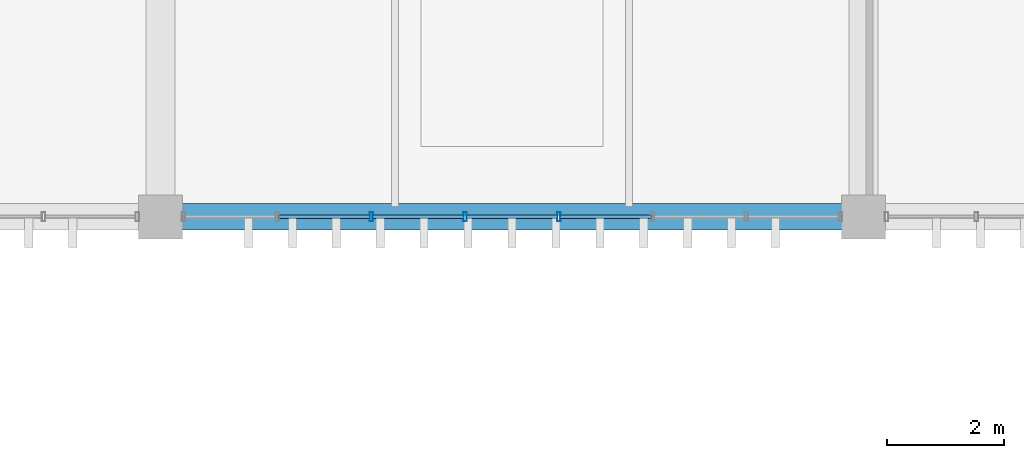
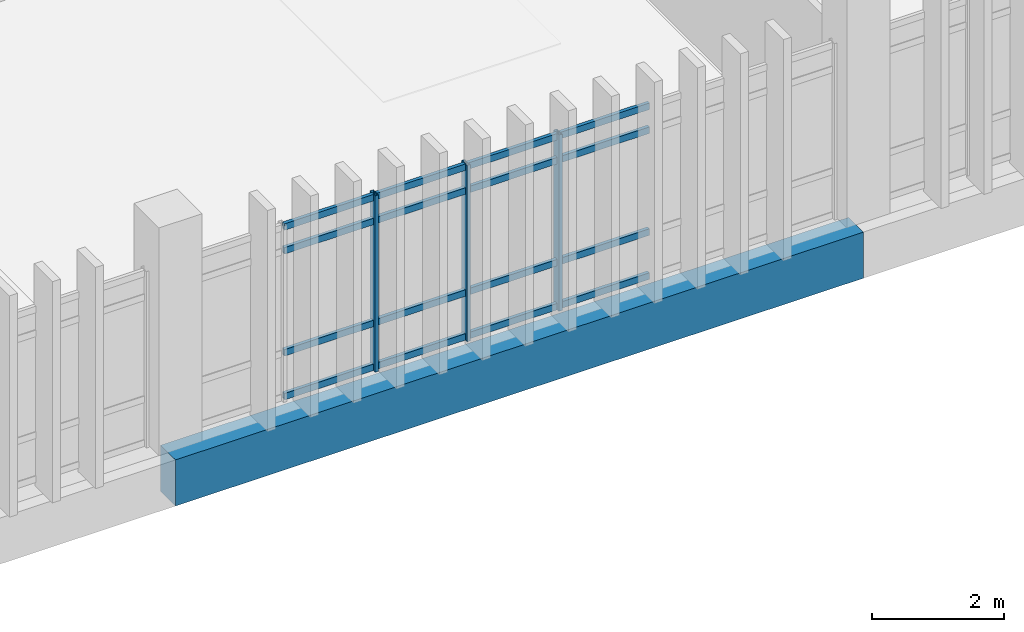
# One storey, part 36 of 111: 19 members, 1 beam, 1 element without a shape of its own.
"""IFC4 building model written with IfcOpenShell, lengths in metres."""

from ifc_helpers import new_model, si_unit, direction, frame, origin, origin_2d, place, context, subcontext, project, spatial, rectangle, hollow_rectangle, extrude, material, layer, layer_set, material_profile, profile_set, type_object, element, aggregate, save


model = new_model("IFC4")

# Units and contexts
model_context = context("Model", 3, precision=1e-05, world=origin(), true_north=direction((0.0, 1.0)))
body_context = subcontext(model_context, "Body", "Model", "MODEL_VIEW")
ifc_project = project(units=[si_unit("LENGTHUNIT", "METRE"), si_unit("AREAUNIT", "SQUARE_METRE"), si_unit("VOLUMEUNIT", "CUBIC_METRE"), si_unit("PLANEANGLEUNIT", "RADIAN"), si_unit("MASSUNIT", "GRAM", prefix="KILO")], contexts=[model_context])

# Site, building, storey
site_placement = place(None, origin())
site = spatial("IfcSite", under=ifc_project, at=site_placement, CompositionType="ELEMENT")
building_placement = place(site_placement, origin())
building = spatial("IfcBuilding", under=site, at=building_placement, Name="Mersad Railyard Sports Hall", CompositionType="ELEMENT")
storey_placement = place(building_placement, frame((0.0, 0.0, 9.0)))
storey = spatial("IfcBuildingStorey", under=building, at=storey_placement, Name="L02", CompositionType="ELEMENT", Elevation=9.0)

# Curtain wall, members
ifc_material_1 = material(Name="Aluminium 6063-T6", Category="aluminium")
ifc_layer = layer(ifc_material_1, 0.159912109375)
ifc_layer_set = layer_set([ifc_layer], Name="Aluminium 6063-T6")
curtain_wall_type = type_object("IfcCurtainWallType", Name="ARC-CW-CW54", PredefinedType="USERDEFINED", material=ifc_layer_set)
curtain_wall_placement = place(storey_placement, origin())
curtain_wall = element("IfcCurtainWall", 1, at=curtain_wall_placement, inside=storey, type_object=curtain_wall_type, Name="Curtain wall CW54-0146", ObjectType="CURTAIN WALL", PredefinedType="USERDEFINED")
ifc_material_profile_1 = material_profile(ifc_material_1, hollow_rectangle(XDim=0.06005859375, YDim=0.159912109375, WallThickness=0.00390625, at=origin_2d()), Name="AL MULLION 60x160x4")
ifc_profile_set_1 = profile_set([ifc_material_profile_1], Name="Aluminium 6063-T6")
member_type_1 = type_object("IfcMemberType", Name="ARC-CW-MUL01", PredefinedType="MULLION", material=ifc_profile_set_1)
member_1_placement = place(storey_placement, frame((85.80078125, 85.0, -0.02001953125), z_axis=(0.0, 0.0, 1.0), x_axis=(1.0, 0.0, 0.0)))
member_1 = element("IfcMember", 2, at=member_1_placement, type_object=member_type_1, Name="CW54 Mullion 4", PredefinedType="MULLION", context=body_context, shape_type="SweptSolid", body=[
    extrude(hollow_rectangle(XDim=0.06005859375, YDim=0.159912109375, WallThickness=0.00390625, at=origin_2d()), origin(), (0.0, 0.0, 1.0), 3.25),
])
member_2_placement = place(storey_placement, frame((84.19921875, 85.0, -0.02001953125), z_axis=(0.0, 0.0, 1.0), x_axis=(1.0, 0.0, 0.0)))
member_2 = element("IfcMember", 3, at=member_2_placement, type_object=member_type_1, Name="CW54 Mullion 5", PredefinedType="MULLION", context=body_context, shape_type="SweptSolid", body=[
    extrude(hollow_rectangle(XDim=0.06005859375, YDim=0.159912109375, WallThickness=0.00390625, at=origin_2d()), origin(), (0.0, 0.0, 1.0), 3.25),
])
member_3_placement = place(storey_placement, frame((82.597900390625, 85.0, -0.02001953125), z_axis=(0.0, 0.0, 1.0), x_axis=(1.0, 0.0, 0.0)))
member_3 = element("IfcMember", 4, at=member_3_placement, type_object=member_type_1, Name="CW54 Mullion 6", PredefinedType="MULLION", context=body_context, shape_type="SweptSolid", body=[
    extrude(hollow_rectangle(XDim=0.06005859375, YDim=0.159912109375, WallThickness=0.00390625, at=origin_2d()), origin(), (0.0, 0.0, 1.0), 3.25),
])
ifc_material_profile_2 = material_profile(ifc_material_1, hollow_rectangle(XDim=0.06005859375, YDim=0.1201171875, WallThickness=0.00390625, at=origin_2d()), Name="AL TRANSOM 60x120x4")
ifc_profile_set_2 = profile_set([ifc_material_profile_2], Name="Aluminium 6063-T6")
member_type_2 = type_object("IfcMemberType", Name="ARC-CW-TRN01", PredefinedType="USERDEFINED", material=ifc_profile_set_2)
member_4_placement = place(storey_placement, frame((87.382080078125, 85.0, 0.0400390625), z_axis=(-1.0, 0.0, 0.0), x_axis=(0.0, -1.0, 0.0)))
member_4 = element("IfcMember", 5, at=member_4_placement, type_object=member_type_2, Name="CW54 Transom 1-3", ObjectType="TRANSOM", PredefinedType="USERDEFINED", context=body_context, shape_type="SweptSolid", body=[
    extrude(hollow_rectangle(XDim=0.06005859375, YDim=0.1201171875, WallThickness=0.00390625, at=origin_2d()), origin(), (0.0, 0.0, 1.0), 1.561279296875),
])
member_5_placement = place(storey_placement, frame((85.78076171875, 85.0, 0.0400390625), z_axis=(-1.0, 0.0, 0.0), x_axis=(0.0, -1.0, 0.0)))
member_5 = element("IfcMember", 6, at=member_5_placement, type_object=member_type_2, Name="CW54 Transom 1-4", ObjectType="TRANSOM", PredefinedType="USERDEFINED", context=body_context, shape_type="SweptSolid", body=[
    extrude(hollow_rectangle(XDim=0.06005859375, YDim=0.1201171875, WallThickness=0.00390625, at=origin_2d()), origin(), (0.0, 0.0, 1.0), 1.5615234375),
])
member_6_placement = place(storey_placement, frame((84.17919921875, 85.0, 0.0400390625), z_axis=(-1.0, 0.0, 0.0), x_axis=(0.0, -1.0, 0.0)))
member_6 = element("IfcMember", 7, at=member_6_placement, type_object=member_type_2, Name="CW54 Transom 1-5", ObjectType="TRANSOM", PredefinedType="USERDEFINED", context=body_context, shape_type="SweptSolid", body=[
    extrude(hollow_rectangle(XDim=0.06005859375, YDim=0.1201171875, WallThickness=0.00390625, at=origin_2d()), origin(), (0.0, 0.0, 1.0), 1.561279296875),
])
member_7_placement = place(storey_placement, frame((82.577880859375, 85.0, 0.0400390625), z_axis=(-1.0, 0.0, 0.0), x_axis=(0.0, -1.0, 0.0)))
member_7 = element("IfcMember", 8, at=member_7_placement, type_object=member_type_2, Name="CW54 Transom 1-6", ObjectType="TRANSOM", PredefinedType="USERDEFINED", context=body_context, shape_type="SweptSolid", body=[
    extrude(hollow_rectangle(XDim=0.06005859375, YDim=0.1201171875, WallThickness=0.00390625, at=origin_2d()), origin(), (0.0, 0.0, 1.0), 1.5615234375),
])
member_8_placement = place(storey_placement, frame((87.382080078125, 85.0, 0.85009765625), z_axis=(-1.0, 0.0, 0.0), x_axis=(0.0, -1.0, 0.0)))
member_8 = element("IfcMember", 9, at=member_8_placement, type_object=member_type_2, Name="CW54 Transom 2-3", ObjectType="TRANSOM", PredefinedType="USERDEFINED", context=body_context, shape_type="SweptSolid", body=[
    extrude(hollow_rectangle(XDim=0.06005859375, YDim=0.1201171875, WallThickness=0.00390625, at=origin_2d()), origin(), (0.0, 0.0, 1.0), 1.561279296875),
])
member_9_placement = place(storey_placement, frame((85.78076171875, 85.0, 0.85009765625), z_axis=(-1.0, 0.0, 0.0), x_axis=(0.0, -1.0, 0.0)))
member_9 = element("IfcMember", 10, at=member_9_placement, type_object=member_type_2, Name="CW54 Transom 2-4", ObjectType="TRANSOM", PredefinedType="USERDEFINED", context=body_context, shape_type="SweptSolid", body=[
    extrude(hollow_rectangle(XDim=0.06005859375, YDim=0.1201171875, WallThickness=0.00390625, at=origin_2d()), origin(), (0.0, 0.0, 1.0), 1.5615234375),
])
member_10_placement = place(storey_placement, frame((84.17919921875, 85.0, 0.85009765625), z_axis=(-1.0, 0.0, 0.0), x_axis=(0.0, -1.0, 0.0)))
member_10 = element("IfcMember", 11, at=member_10_placement, type_object=member_type_2, Name="CW54 Transom 2-5", ObjectType="TRANSOM", PredefinedType="USERDEFINED", context=body_context, shape_type="SweptSolid", body=[
    extrude(hollow_rectangle(XDim=0.06005859375, YDim=0.1201171875, WallThickness=0.00390625, at=origin_2d()), origin(), (0.0, 0.0, 1.0), 1.561279296875),
])
member_11_placement = place(storey_placement, frame((82.577880859375, 85.0, 0.85009765625), z_axis=(-1.0, 0.0, 0.0), x_axis=(0.0, -1.0, 0.0)))
member_11 = element("IfcMember", 12, at=member_11_placement, type_object=member_type_2, Name="CW54 Transom 2-6", ObjectType="TRANSOM", PredefinedType="USERDEFINED", context=body_context, shape_type="SweptSolid", body=[
    extrude(hollow_rectangle(XDim=0.06005859375, YDim=0.1201171875, WallThickness=0.00390625, at=origin_2d()), origin(), (0.0, 0.0, 1.0), 1.5615234375),
])
member_12_placement = place(storey_placement, frame((87.382080078125, 85.0, 2.72998046875), z_axis=(-1.0, 0.0, 0.0), x_axis=(0.0, -1.0, 0.0)))
member_12 = element("IfcMember", 13, at=member_12_placement, type_object=member_type_2, Name="CW54 Transom 3-3", ObjectType="TRANSOM", PredefinedType="USERDEFINED", context=body_context, shape_type="SweptSolid", body=[
    extrude(hollow_rectangle(XDim=0.06005859375, YDim=0.1201171875, WallThickness=0.00390625, at=origin_2d()), origin(), (0.0, 0.0, 1.0), 1.561279296875),
])
member_13_placement = place(storey_placement, frame((85.78076171875, 85.0, 2.72998046875), z_axis=(-1.0, 0.0, 0.0), x_axis=(0.0, -1.0, 0.0)))
member_13 = element("IfcMember", 14, at=member_13_placement, type_object=member_type_2, Name="CW54 Transom 3-4", ObjectType="TRANSOM", PredefinedType="USERDEFINED", context=body_context, shape_type="SweptSolid", body=[
    extrude(hollow_rectangle(XDim=0.06005859375, YDim=0.1201171875, WallThickness=0.00390625, at=origin_2d()), origin(), (0.0, 0.0, 1.0), 1.5615234375),
])
member_14_placement = place(storey_placement, frame((84.17919921875, 85.0, 2.72998046875), z_axis=(-1.0, 0.0, 0.0), x_axis=(0.0, -1.0, 0.0)))
member_14 = element("IfcMember", 15, at=member_14_placement, type_object=member_type_2, Name="CW54 Transom 3-5", ObjectType="TRANSOM", PredefinedType="USERDEFINED", context=body_context, shape_type="SweptSolid", body=[
    extrude(hollow_rectangle(XDim=0.06005859375, YDim=0.1201171875, WallThickness=0.00390625, at=origin_2d()), origin(), (0.0, 0.0, 1.0), 1.561279296875),
])
member_15_placement = place(storey_placement, frame((82.577880859375, 85.0, 2.72998046875), z_axis=(-1.0, 0.0, 0.0), x_axis=(0.0, -1.0, 0.0)))
member_15 = element("IfcMember", 16, at=member_15_placement, type_object=member_type_2, Name="CW54 Transom 3-6", ObjectType="TRANSOM", PredefinedType="USERDEFINED", context=body_context, shape_type="SweptSolid", body=[
    extrude(hollow_rectangle(XDim=0.06005859375, YDim=0.1201171875, WallThickness=0.00390625, at=origin_2d()), origin(), (0.0, 0.0, 1.0), 1.5615234375),
])
member_16_placement = place(storey_placement, frame((87.382080078125, 85.0, 3.169921875), z_axis=(-1.0, 0.0, 0.0), x_axis=(0.0, -1.0, 0.0)))
member_16 = element("IfcMember", 17, at=member_16_placement, type_object=member_type_2, Name="CW54 Transom 4-3", ObjectType="TRANSOM", PredefinedType="USERDEFINED", context=body_context, shape_type="SweptSolid", body=[
    extrude(hollow_rectangle(XDim=0.06005859375, YDim=0.1201171875, WallThickness=0.00390625, at=origin_2d()), origin(), (0.0, 0.0, 1.0), 1.561279296875),
])
member_17_placement = place(storey_placement, frame((85.78076171875, 85.0, 3.169921875), z_axis=(-1.0, 0.0, 0.0), x_axis=(0.0, -1.0, 0.0)))
member_17 = element("IfcMember", 18, at=member_17_placement, type_object=member_type_2, Name="CW54 Transom 4-4", ObjectType="TRANSOM", PredefinedType="USERDEFINED", context=body_context, shape_type="SweptSolid", body=[
    extrude(hollow_rectangle(XDim=0.06005859375, YDim=0.1201171875, WallThickness=0.00390625, at=origin_2d()), origin(), (0.0, 0.0, 1.0), 1.5615234375),
])
member_18_placement = place(storey_placement, frame((84.17919921875, 85.0, 3.169921875), z_axis=(-1.0, 0.0, 0.0), x_axis=(0.0, -1.0, 0.0)))
member_18 = element("IfcMember", 19, at=member_18_placement, type_object=member_type_2, Name="CW54 Transom 4-5", ObjectType="TRANSOM", PredefinedType="USERDEFINED", context=body_context, shape_type="SweptSolid", body=[
    extrude(hollow_rectangle(XDim=0.06005859375, YDim=0.1201171875, WallThickness=0.00390625, at=origin_2d()), origin(), (0.0, 0.0, 1.0), 1.561279296875),
])
member_19_placement = place(storey_placement, frame((82.577880859375, 85.0, 3.169921875), z_axis=(-1.0, 0.0, 0.0), x_axis=(0.0, -1.0, 0.0)))
member_19 = element("IfcMember", 20, at=member_19_placement, type_object=member_type_2, Name="CW54 Transom 4-6", ObjectType="TRANSOM", PredefinedType="USERDEFINED", context=body_context, shape_type="SweptSolid", body=[
    extrude(hollow_rectangle(XDim=0.06005859375, YDim=0.1201171875, WallThickness=0.00390625, at=origin_2d()), origin(), (0.0, 0.0, 1.0), 1.5615234375),
])
aggregate(curtain_wall, [member_1, member_2, member_3, member_4, member_5, member_6, member_7, member_8, member_9, member_10, member_11, member_12, member_13, member_14, member_15, member_16, member_17, member_18, member_19])

# Beam
ifc_material_2 = material(Name="Concrete C40/50", Category="concrete")
ifc_material_profile_3 = material_profile(ifc_material_2, rectangle(XDim=0.449951171875, YDim=0.85009765625, at=origin_2d()), Name="RC 450x850")
ifc_profile_set_3 = profile_set([ifc_material_profile_3], Name="Concrete C40/50")
beam_type = type_object("IfcBeamType", Name="STR-BM-B02", PredefinedType="BEAM", material=ifc_profile_set_3)
beam_placement = place(storey_placement, frame((79.0, 85.0, -0.72509765625), z_axis=(1.0, 0.0, 0.0), x_axis=(0.0, 1.0, 0.0)))
element("IfcBeam", 21, at=beam_placement, inside=storey, type_object=beam_type, Name="Beam B02-1068", PredefinedType="BEAM", context=body_context, shape_type="SweptSolid", body=[
    extrude(rectangle(XDim=0.449951171875, YDim=0.85009765625, at=origin_2d()), origin(), (0.0, 0.0, 1.0), 12.0),
])

save(model, "model.ifc")
